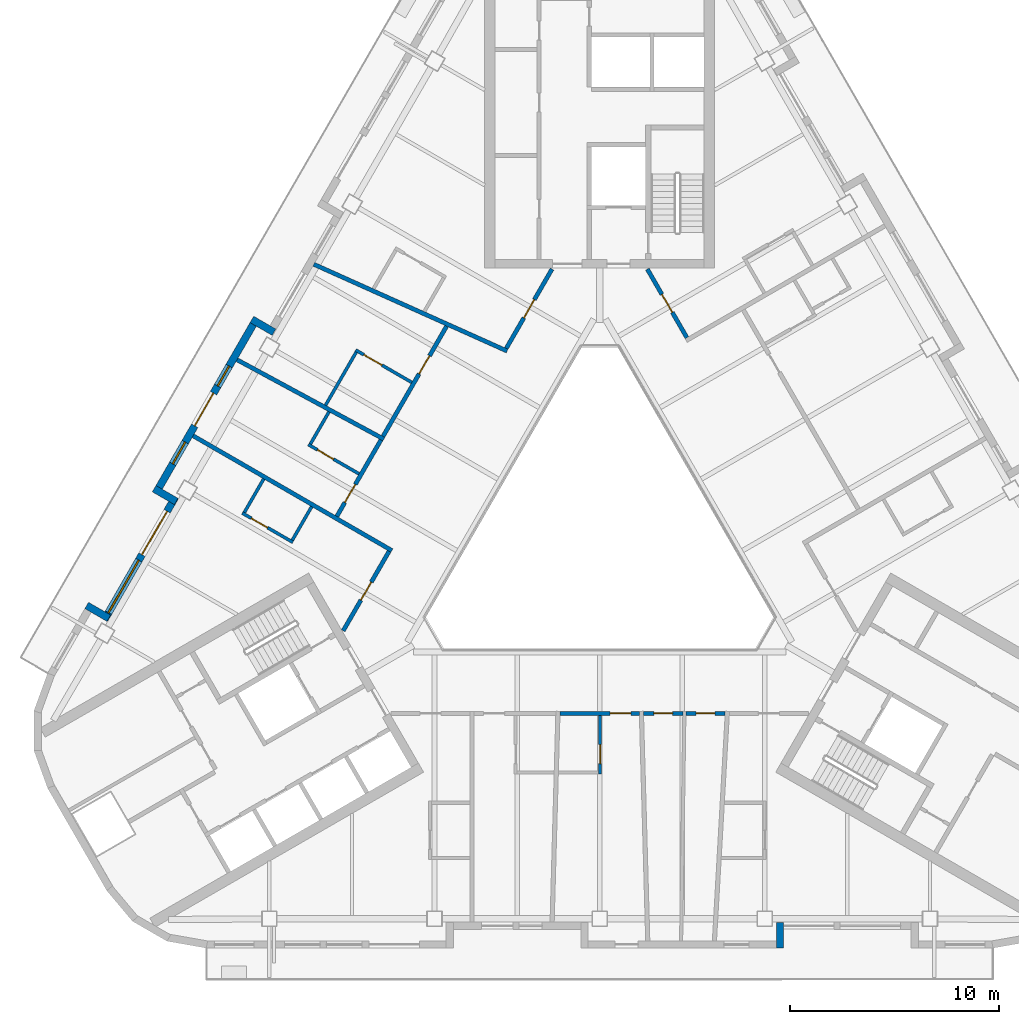
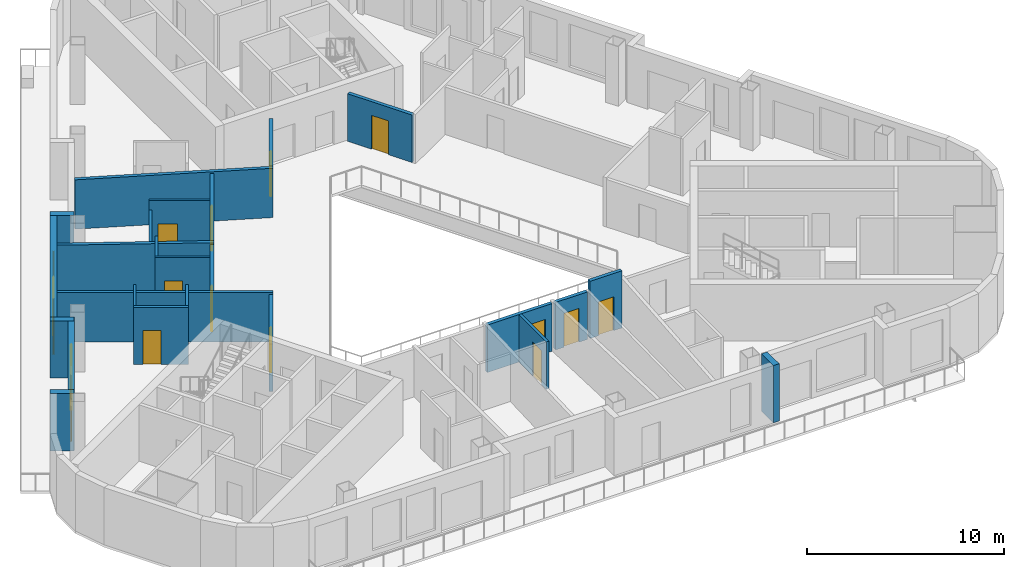
# One storey, part 4 of 14: 25 walls, 14 doors, 3 windows, 17 openings.
"""IFC4 building model written with IfcOpenShell, lengths in metres."""

from ifc_helpers import new_model, si_unit, direction, frame, frame_2d, origin, place, context, subcontext, project, spatial, rectangle, extrude, material, layer, layer_set, type_object, element, fill, save


model = new_model("IFC4")

# Units and contexts
model_context = context("Model", 3, precision=1e-05, world=origin(), true_north=direction((0.0, 1.0)))
body_context = subcontext(model_context, "Body", "Model", "MODEL_VIEW")
ifc_project = project(units=[si_unit("LENGTHUNIT", "METRE"), si_unit("AREAUNIT", "SQUARE_METRE"), si_unit("VOLUMEUNIT", "CUBIC_METRE"), si_unit("PLANEANGLEUNIT", "RADIAN"), si_unit("MASSUNIT", "GRAM", prefix="KILO")], contexts=[model_context])

# Site, building, storey
site_placement = place(None, origin())
site = spatial("IfcSite", under=ifc_project, at=site_placement, CompositionType="ELEMENT")
building_placement = place(site_placement, origin())
building = spatial("IfcBuilding", under=site, at=building_placement, Name="Apuvela Tower Hotel", CompositionType="ELEMENT")
storey_placement = place(building_placement, frame((0.0, 0.0, 216.89990234375)))
storey = spatial("IfcBuildingStorey", under=building, at=storey_placement, Name="L53", CompositionType="ELEMENT", Elevation=216.89990234375)

# Wall
ifc_material_1 = material(Name="Concrete C40/50, dark pigmented precast panel", Category="concrete")
ifc_layer_1 = layer(ifc_material_1, 0.35009765625)
ifc_layer_set_1 = layer_set([ifc_layer_1], Name="ENV-WALL-350")
wall_type_1 = type_object("IfcWallType", Name="ENV-WALL-350", PredefinedType="SOLIDWALL", material=ifc_layer_set_1)
wall_1_placement = place(storey_placement, frame((-15.580810546875, 9.8330078125, 0.0), z_axis=(0.0, 0.0, 1.0), x_axis=(-0.866055662726, 0.499947586314, 0.0)))
element("IfcWall", 1, at=wall_1_placement, inside=storey, type_object=wall_type_1, Name="External wall L53-04", PredefinedType="SOLIDWALL", context=body_context, shape_type="SweptSolid", body=[
    extrude(rectangle(XDim=1.220458984375, YDim=0.35009765625, at=frame_2d((0.6103515625, 0.0))), origin(), (0.0, 0.0, 1.0), 3.550048828125),
])

# Wall, openings, door, windows
wall_2_placement = place(storey_placement, frame((-16.3984375, 10.507080078125, 0.0), z_axis=(0.0, 0.0, 1.0), x_axis=(-0.499999142773, -0.866025898704, 0.0)))
wall_2 = element("IfcWall", 2, at=wall_2_placement, inside=storey, type_object=wall_type_1, Name="External wall L53-05", PredefinedType="SOLIDWALL", context=body_context, shape_type="SweptSolid", body=[
    extrude(rectangle(XDim=9.7001953125, YDim=0.35009765625, at=frame_2d((4.85009765625, 0.0))), origin(), (0.0, 0.0, 1.0), 3.550048828125),
])
opening_1_placement = place(wall_2_placement, frame((4.1494140625, 0.0, 0.0)))
opening_1 = element("IfcOpeningElement", 3, at=opening_1_placement, cuts=wall_2, Name="Opening BD18", PredefinedType="OPENING", context=body_context, shape_type="SweptSolid", body=[
    extrude(rectangle(XDim=1.800048828125, YDim=2.39990234375, at=frame_2d((0.89990234375, 1.199951171875))), frame((0.0, 0.18505859375, 0.0), z_axis=(0.0, -1.0, 0.0), x_axis=(1.0, 0.0, 0.0)), (0.0, 0.0, 1.0), 0.3701171875),
])
opening_2_placement = place(wall_2_placement, frame((2.650390625, 0.0, 0.300048828125)))
opening_2 = element("IfcOpeningElement", 4, at=opening_2_placement, cuts=wall_2, Name="Opening WN11", PredefinedType="OPENING", context=body_context, shape_type="SweptSolid", body=[
    extrude(rectangle(XDim=1.10009765625, YDim=2.64990234375, at=frame_2d((0.550048828125, 1.324951171875))), frame((0.0, 0.18505859375, 0.0), z_axis=(0.0, -1.0, 0.0), x_axis=(1.0, 0.0, 0.0)), (0.0, 0.0, 1.0), 0.3701171875),
])
opening_3_placement = place(wall_2_placement, frame((6.850341796875, 0.0, 0.300048828125)))
opening_3 = element("IfcOpeningElement", 5, at=opening_3_placement, cuts=wall_2, Name="Opening WN12", PredefinedType="OPENING", context=body_context, shape_type="SweptSolid", body=[
    extrude(rectangle(XDim=1.199951171875, YDim=2.64990234375, at=frame_2d((0.60009765625, 1.324951171875))), frame((0.0, 0.18505859375, 0.0), z_axis=(0.0, -1.0, 0.0), x_axis=(1.0, 0.0, 0.0)), (0.0, 0.0, 1.0), 0.3701171875),
])
ifc_material_2 = material(Name="Aluminium 6063-T6, dark bronze anodised frame with dark tinted laminated glass", Category="aluminium")
door_type_1 = type_object("IfcDoorType", Name="ENV-DOOR-BALCONY-1800x2400", OperationType="SLIDING_TO_LEFT", PredefinedType="DOOR", material=ifc_material_2)
door_1_placement = place(opening_1_placement, frame((1.800048828125, 0.0, 0.0), z_axis=(0.0, 0.0, 1.0), x_axis=(-1.0, 0.0, 0.0)))
door_1 = element("IfcDoor", 6, at=door_1_placement, inside=storey, type_object=door_type_1, Name="Balcony door BD18", OperationType="SLIDING_TO_LEFT", OverallHeight=2.39990234375, OverallWidth=1.800048828125, PredefinedType="DOOR", context=body_context, shape_type="SweptSolid", body=[
    extrude(rectangle(XDim=1.800048828125, YDim=2.39990234375, at=frame_2d((0.89990234375, 1.199951171875))), frame((0.0, 0.02490234375, 0.0), z_axis=(0.0, -1.0, 0.0), x_axis=(1.0, 0.0, 0.0)), (0.0, 0.0, 1.0), 0.050048828125),
])
fill(opening_1, door_1)
ifc_material_3 = material(Name="Glass, dark tinted laminated insulated glazing unit", Category="glass")
window_type_1 = type_object("IfcWindowType", Name="ENV-WIN-1100x2650", PartitioningType="SINGLE_PANEL", PredefinedType="WINDOW", material=ifc_material_3)
window_1_placement = place(opening_2_placement, origin())
window_1 = element("IfcWindow", 7, at=window_1_placement, inside=storey, type_object=window_type_1, Name="Window WN11", OverallHeight=2.64990234375, OverallWidth=1.10009765625, PartitioningType="SINGLE_PANEL", PredefinedType="WINDOW", context=body_context, shape_type="SweptSolid", body=[
    extrude(rectangle(XDim=1.10009765625, YDim=2.64990234375, at=frame_2d((0.550048828125, 1.324951171875))), frame((0.0, 0.030029296875, 0.0), z_axis=(0.0, -1.0, 0.0), x_axis=(1.0, 0.0, 0.0)), (0.0, 0.0, 1.0), 0.06005859375),
])
fill(opening_2, window_1)
window_type_2 = type_object("IfcWindowType", Name="ENV-WIN-1200x2650", PartitioningType="SINGLE_PANEL", PredefinedType="WINDOW", material=ifc_material_3)
window_2_placement = place(opening_3_placement, origin())
window_2 = element("IfcWindow", 8, at=window_2_placement, inside=storey, type_object=window_type_2, Name="Window WN12", OverallHeight=2.64990234375, OverallWidth=1.199951171875, PartitioningType="SINGLE_PANEL", PredefinedType="WINDOW", context=body_context, shape_type="SweptSolid", body=[
    extrude(rectangle(XDim=1.199951171875, YDim=2.64990234375, at=frame_2d((0.60009765625, 1.324951171875))), frame((0.0, 0.030029296875, 0.0), z_axis=(0.0, -1.0, 0.0), x_axis=(1.0, 0.0, 0.0)), (0.0, 0.0, 1.0), 0.06005859375),
])
fill(opening_3, window_2)

# Wall
wall_3_placement = place(storey_placement, frame((-21.3125, 2.345703125, 0.0), z_axis=(0.0, 0.0, 1.0), x_axis=(0.866005645448, -0.500034220881, 0.0)))
element("IfcWall", 9, at=wall_3_placement, inside=storey, type_object=wall_type_1, Name="External wall L53-06", PredefinedType="SOLIDWALL", context=body_context, shape_type="SweptSolid", body=[
    extrude(rectangle(XDim=1.22021484375, YDim=0.35009765625, at=frame_2d((0.610107421875, 0.0))), origin(), (0.0, 0.0, 1.0), 3.550048828125),
])

# Wall, openings, door, window
wall_4_placement = place(storey_placement, frame((-20.30908203125, 1.93359375, 0.0), z_axis=(0.0, 0.0, 1.0), x_axis=(-0.499992114976, -0.866029956157, 0.0)))
wall_4 = element("IfcWall", 10, at=wall_4_placement, inside=storey, type_object=wall_type_1, Name="External wall L53-07", PredefinedType="SOLIDWALL", context=body_context, shape_type="SweptSolid", body=[
    extrude(rectangle(XDim=6.73974609375, YDim=0.35009765625, at=frame_2d((3.369873046875, 0.0))), origin(), (0.0, 0.0, 1.0), 3.550048828125),
])
opening_4_placement = place(wall_4_placement, frame((0.77001953125, 0.0, 0.0)))
opening_4 = element("IfcOpeningElement", 11, at=opening_4_placement, cuts=wall_4, Name="Opening BD24", PredefinedType="OPENING", context=body_context, shape_type="SweptSolid", body=[
    extrude(rectangle(XDim=2.39990234375, YDim=2.39990234375, at=frame_2d((1.199951171875, 1.199951171875))), frame((0.0, 0.18505859375, 0.0), z_axis=(0.0, -1.0, 0.0), x_axis=(1.0, 0.0, 0.0)), (0.0, 0.0, 1.0), 0.3701171875),
])
opening_5_placement = place(wall_4_placement, frame((3.47021484375, 0.0, 0.300048828125)))
opening_5 = element("IfcOpeningElement", 12, at=opening_5_placement, cuts=wall_4, Name="Opening WN29", PredefinedType="OPENING", context=body_context, shape_type="SweptSolid", body=[
    extrude(rectangle(XDim=2.89990234375, YDim=2.64990234375, at=frame_2d((1.449951171875, 1.324951171875))), frame((0.0, 0.18505859375, 0.0), z_axis=(0.0, -1.0, 0.0), x_axis=(1.0, 0.0, 0.0)), (0.0, 0.0, 1.0), 0.3701171875),
])
door_type_2 = type_object("IfcDoorType", Name="ENV-DOOR-BALCONY-2400x2400", OperationType="SLIDING_TO_LEFT", PredefinedType="DOOR", material=ifc_material_2)
door_2_placement = place(opening_4_placement, frame((2.39990234375, 0.0, 0.0), z_axis=(0.0, 0.0, 1.0), x_axis=(-1.0, 0.0, 0.0)))
door_2 = element("IfcDoor", 13, at=door_2_placement, inside=storey, type_object=door_type_2, Name="Balcony door BD24", OperationType="SLIDING_TO_LEFT", OverallHeight=2.39990234375, OverallWidth=2.39990234375, PredefinedType="DOOR", context=body_context, shape_type="SweptSolid", body=[
    extrude(rectangle(XDim=2.39990234375, YDim=2.39990234375, at=frame_2d((1.199951171875, 1.199951171875))), frame((0.0, 0.02490234375, 0.0), z_axis=(0.0, -1.0, 0.0), x_axis=(1.0, 0.0, 0.0)), (0.0, 0.0, 1.0), 0.050048828125),
])
fill(opening_4, door_2)
window_type_3 = type_object("IfcWindowType", Name="ENV-WIN-2900x2650", PartitioningType="SINGLE_PANEL", PredefinedType="WINDOW", material=ifc_material_3)
window_3_placement = place(opening_5_placement, origin())
window_3 = element("IfcWindow", 14, at=window_3_placement, inside=storey, type_object=window_type_3, Name="Window WN29", OverallHeight=2.64990234375, OverallWidth=2.89990234375, PartitioningType="SINGLE_PANEL", PredefinedType="WINDOW", context=body_context, shape_type="SweptSolid", body=[
    extrude(rectangle(XDim=2.89990234375, YDim=2.64990234375, at=frame_2d((1.449951171875, 1.324951171875))), frame((0.0, 0.030029296875, 0.0), z_axis=(0.0, -1.0, 0.0), x_axis=(1.0, 0.0, 0.0)), (0.0, 0.0, 1.0), 0.06005859375),
])
fill(opening_5, window_3)

# Walls
for number, where, z_axis, x_axis, name in (
    (15, (-23.48095703125, -3.85009765625, 0.0), (0.0, 0.0, 1.0), (-0.866092288191, 0.499884134912, 0.0), "External wall L53-08"),
    (16, (8.625, -19.6298828125, 0.0), (0.0, 0.0, 1.0), (0.0, 1.0, 0.0), "External wall L53-22"),
):
    element("IfcWall", number, at=place(storey_placement, frame(where, z_axis=z_axis, x_axis=x_axis)), inside=storey, type_object=wall_type_1, Name=name, PredefinedType="SOLIDWALL", context=body_context, shape_type="SweptSolid", body=[
        extrude(rectangle(XDim=1.219970703125, YDim=0.35009765625, at=frame_2d((0.60986328125, 0.0))), origin(), (0.0, 0.0, 1.0), 3.550048828125),
    ])
ifc_material_4 = material(Name="Gypsum board partition on twin steel stud", Category="steel")
ifc_layer_2 = layer(ifc_material_4, 0.199951171875)
ifc_layer_set_2 = layer_set([ifc_layer_2], Name="GST-PW1")
wall_type_2 = type_object("IfcWallType", Name="GST-PW1", PredefinedType="PARTITIONING", material=ifc_layer_set_2)
wall_5_placement = place(storey_placement, frame((-13.671630859375, 13.080078125, 0.0), z_axis=(0.0, 0.0, 1.0), x_axis=(0.912311972773, -0.409495866077, 0.0)))
element("IfcWall", 17, at=wall_5_placement, inside=storey, type_object=wall_type_2, Name="L53 partition 07", PredefinedType="PARTITIONING", context=body_context, shape_type="SweptSolid", body=[
    extrude(rectangle(XDim=10.13232421875, YDim=0.199951171875, at=frame_2d((5.066162109375, 0.0))), origin(), (0.0, 0.0, 1.0), 3.06005859375),
])
wall_6_placement = place(storey_placement, frame((-17.346923828125, 8.51416015625, 0.0), z_axis=(0.0, 0.0, 1.0), x_axis=(0.879604495132, -0.475705720109, 0.0)))
element("IfcWall", 18, at=wall_6_placement, inside=storey, type_object=wall_type_2, Name="L53 partition 08", PredefinedType="PARTITIONING", context=body_context, shape_type="SweptSolid", body=[
    extrude(rectangle(XDim=7.983154296875, YDim=0.199951171875, at=frame_2d((3.99169921875, 0.0))), origin(), (0.0, 0.0, 1.0), 3.06005859375),
])
wall_7_placement = place(storey_placement, frame((-19.447021484375, 4.876953125, 0.0), z_axis=(0.0, 0.0, 1.0), x_axis=(0.866027479907, -0.499996404033, 0.0)))
element("IfcWall", 19, at=wall_7_placement, inside=storey, type_object=wall_type_2, Name="L53 partition 09", PredefinedType="PARTITIONING", context=body_context, shape_type="SweptSolid", body=[
    extrude(rectangle(XDim=10.97998046875, YDim=0.199951171875, at=frame_2d((5.489990234375, 0.0))), origin(), (0.0, 0.0, 1.0), 3.06005859375),
])

# Wall, opening, door
ifc_material_5 = material(Name="Gypsum board corridor wall on twin steel stud, acoustic", Category="steel")
ifc_layer_3 = layer(ifc_material_5, 0.199951171875)
ifc_layer_set_3 = layer_set([ifc_layer_3], Name="GST-PW2")
wall_type_3 = type_object("IfcWallType", Name="GST-PW2", PredefinedType="PARTITIONING", material=ifc_layer_set_3)
wall_8_placement = place(storey_placement, frame((1.897216796875, -8.39990234375, 0.0), z_axis=(0.0, 0.0, 1.0), x_axis=(-1.0, 0.0, 0.0)))
wall_8 = element("IfcWall", 20, at=wall_8_placement, inside=storey, type_object=wall_type_3, Name="L53 partition 17", PredefinedType="PARTITIONING", context=body_context, shape_type="SweptSolid", body=[
    extrude(rectangle(XDim=3.79443359375, YDim=0.199951171875, at=frame_2d((1.897216796875, 0.0))), origin(), (0.0, 0.0, 1.0), 2.9501953125),
])
opening_6_placement = place(wall_8_placement, frame((0.4013671875, 0.0, 0.0)))
opening_6 = element("IfcOpeningElement", 21, at=opening_6_placement, cuts=wall_8, Name="Opening GD21-06", PredefinedType="OPENING", context=body_context, shape_type="SweptSolid", body=[
    extrude(rectangle(XDim=1.0, YDim=2.10009765625, at=frame_2d((0.5, 1.050048828125))), frame((0.0, 0.10986328125, 0.0), z_axis=(0.0, -1.0, 0.0), x_axis=(1.0, 0.0, 0.0)), (0.0, 0.0, 1.0), 0.219970703125),
])
ifc_material_6 = material(Name="Timber door leaf in steel frame", Category="steel")
door_type_3 = type_object("IfcDoorType", Name="GST-D1", OperationType="NOTDEFINED", PredefinedType="DOOR", material=ifc_material_6)
door_3_placement = place(opening_6_placement, origin())
door_3 = element("IfcDoor", 22, at=door_3_placement, inside=storey, type_object=door_type_3, Name="Door L53-06", OperationType="SINGLE_SWING_LEFT", OverallHeight=2.10009765625, OverallWidth=1.0, PredefinedType="DOOR", context=body_context, shape_type="SweptSolid", body=[
    extrude(rectangle(XDim=1.0, YDim=2.10009765625, at=frame_2d((0.5, 1.050048828125))), frame((0.0, 0.02490234375, 0.0), z_axis=(0.0, -1.0, 0.0), x_axis=(1.0, 0.0, 0.0)), (0.0, 0.0, 1.0), 0.050048828125),
])
fill(opening_6, door_3)

wall_9_placement = place(storey_placement, frame((3.976318359375, -8.39990234375, 0.0), z_axis=(0.0, 0.0, 1.0), x_axis=(-1.0, 0.0, 0.0)))
wall_9 = element("IfcWall", 23, at=wall_9_placement, inside=storey, type_object=wall_type_3, Name="L53 partition 21", PredefinedType="PARTITIONING", context=body_context, shape_type="SweptSolid", body=[
    extrude(rectangle(XDim=1.87890625, YDim=0.199951171875, at=frame_2d((0.939453125, 0.0))), origin(), (0.0, 0.0, 1.0), 2.9501953125),
])
opening_7_placement = place(wall_9_placement, frame((0.489501953125, 0.0, 0.0)))
opening_7 = element("IfcOpeningElement", 24, at=opening_7_placement, cuts=wall_9, Name="Opening GD21-07", PredefinedType="OPENING", context=body_context, shape_type="SweptSolid", body=[
    extrude(rectangle(XDim=0.89990234375, YDim=2.10009765625, at=frame_2d((0.449951171875, 1.050048828125))), frame((0.0, 0.10986328125, 0.0), z_axis=(0.0, -1.0, 0.0), x_axis=(1.0, 0.0, 0.0)), (0.0, 0.0, 1.0), 0.219970703125),
])
door_type_4 = type_object("IfcDoorType", Name="GST-D2", OperationType="NOTDEFINED", PredefinedType="DOOR", material=ifc_material_6)
door_4_placement = place(opening_7_placement, origin())
door_4 = element("IfcDoor", 25, at=door_4_placement, inside=storey, type_object=door_type_4, Name="Door L53-07", OperationType="SINGLE_SWING_LEFT", OverallHeight=2.10009765625, OverallWidth=0.89990234375, PredefinedType="DOOR", context=body_context, shape_type="SweptSolid", body=[
    extrude(rectangle(XDim=0.89990234375, YDim=2.10009765625, at=frame_2d((0.449951171875, 1.050048828125))), frame((0.0, 0.02490234375, 0.0), z_axis=(0.0, -1.0, 0.0), x_axis=(1.0, 0.0, 0.0)), (0.0, 0.0, 1.0), 0.050048828125),
])
fill(opening_7, door_4)

wall_10_placement = place(storey_placement, frame((6.005615234375, -8.39990234375, 0.0), z_axis=(0.0, 0.0, 1.0), x_axis=(-1.0, 0.0, 0.0)))
wall_10 = element("IfcWall", 26, at=wall_10_placement, inside=storey, type_object=wall_type_3, Name="L53 partition 22", PredefinedType="PARTITIONING", context=body_context, shape_type="SweptSolid", body=[
    extrude(rectangle(XDim=1.879150390625, YDim=0.199951171875, at=frame_2d((0.939453125, 0.0))), origin(), (0.0, 0.0, 1.0), 3.550048828125),
])
opening_8_placement = place(wall_10_placement, frame((0.489501953125, 0.0, 0.0)))
opening_8 = element("IfcOpeningElement", 27, at=opening_8_placement, cuts=wall_10, Name="Opening GD21-08", PredefinedType="OPENING", context=body_context, shape_type="SweptSolid", body=[
    extrude(rectangle(XDim=0.89990234375, YDim=2.10009765625, at=frame_2d((0.449951171875, 1.050048828125))), frame((0.0, 0.10986328125, 0.0), z_axis=(0.0, -1.0, 0.0), x_axis=(1.0, 0.0, 0.0)), (0.0, 0.0, 1.0), 0.219970703125),
])
door_5_placement = place(opening_8_placement, origin())
door_5 = element("IfcDoor", 28, at=door_5_placement, inside=storey, type_object=door_type_4, Name="Door L53-08", OperationType="SINGLE_SWING_RIGHT", OverallHeight=2.10009765625, OverallWidth=0.89990234375, PredefinedType="DOOR", context=body_context, shape_type="SweptSolid", body=[
    extrude(rectangle(XDim=0.89990234375, YDim=2.10009765625, at=frame_2d((0.449951171875, 1.050048828125))), frame((0.0, 0.02490234375, 0.0), z_axis=(0.0, -1.0, 0.0), x_axis=(1.0, 0.0, 0.0)), (0.0, 0.0, 1.0), 0.050048828125),
])
fill(opening_8, door_5)

wall_11_placement = place(storey_placement, frame((2.280517578125, 12.85009765625, 0.0), z_axis=(0.0, 0.0, 1.0), x_axis=(0.499979074716, -0.866037484666, 0.0)))
wall_11 = element("IfcWall", 29, at=wall_11_placement, inside=storey, type_object=wall_type_3, Name="L53 partition 36", PredefinedType="PARTITIONING", context=body_context, shape_type="SweptSolid", body=[
    extrude(rectangle(XDim=3.788330078125, YDim=0.199951171875, at=frame_2d((1.89404296875, 0.0))), origin(), (0.0, 0.0, 1.0), 2.9501953125),
])
opening_9_placement = place(wall_11_placement, frame((1.39404296875, 0.0, 0.0)))
opening_9 = element("IfcOpeningElement", 30, at=opening_9_placement, cuts=wall_11, Name="Opening GD21-17", PredefinedType="OPENING", context=body_context, shape_type="SweptSolid", body=[
    extrude(rectangle(XDim=1.0, YDim=2.10009765625, at=frame_2d((0.5, 1.050048828125))), frame((0.0, 0.10986328125, 0.0), z_axis=(0.0, -1.0, 0.0), x_axis=(1.0, 0.0, 0.0)), (0.0, 0.0, 1.0), 0.219970703125),
])
door_6_placement = place(opening_9_placement, origin())
door_6 = element("IfcDoor", 31, at=door_6_placement, inside=storey, type_object=door_type_3, Name="Door L53-17", OperationType="SINGLE_SWING_RIGHT", OverallHeight=2.10009765625, OverallWidth=1.0, PredefinedType="DOOR", context=body_context, shape_type="SweptSolid", body=[
    extrude(rectangle(XDim=1.0, YDim=2.10009765625, at=frame_2d((0.5, 1.050048828125))), frame((0.0, 0.02490234375, 0.0), z_axis=(0.0, -1.0, 0.0), x_axis=(1.0, 0.0, 0.0)), (0.0, 0.0, 1.0), 0.050048828125),
])
fill(opening_9, door_6)

wall_12_placement = place(storey_placement, frame((-4.46923828125, 9.05908203125, 0.0), z_axis=(0.0, 0.0, 1.0), x_axis=(0.499996027077, 0.86602769754, 0.0)))
wall_12 = element("IfcWall", 32, at=wall_12_placement, inside=storey, type_object=wall_type_3, Name="L53 partition 40", PredefinedType="PARTITIONING", context=body_context, shape_type="SweptSolid", body=[
    extrude(rectangle(XDim=4.37744140625, YDim=0.199951171875, at=frame_2d((2.188720703125, 0.0))), origin(), (0.0, 0.0, 1.0), 2.9501953125),
])
opening_10_placement = place(wall_12_placement, frame((1.688720703125, 0.0, 0.0)))
opening_10 = element("IfcOpeningElement", 33, at=opening_10_placement, cuts=wall_12, Name="Opening GD21-19", PredefinedType="OPENING", context=body_context, shape_type="SweptSolid", body=[
    extrude(rectangle(XDim=1.0, YDim=2.10009765625, at=frame_2d((0.5, 1.050048828125))), frame((0.0, 0.10986328125, 0.0), z_axis=(0.0, -1.0, 0.0), x_axis=(1.0, 0.0, 0.0)), (0.0, 0.0, 1.0), 0.219970703125),
])
door_7_placement = place(opening_10_placement, origin())
door_7 = element("IfcDoor", 34, at=door_7_placement, inside=storey, type_object=door_type_3, Name="Door L53-19", OperationType="SINGLE_SWING_LEFT", OverallHeight=2.10009765625, OverallWidth=1.0, PredefinedType="DOOR", context=body_context, shape_type="SweptSolid", body=[
    extrude(rectangle(XDim=1.0, YDim=2.10009765625, at=frame_2d((0.5, 1.050048828125))), frame((0.0, 0.02490234375, 0.0), z_axis=(0.0, -1.0, 0.0), x_axis=(1.0, 0.0, 0.0)), (0.0, 0.0, 1.0), 0.050048828125),
])
fill(opening_10, door_7)

wall_13_placement = place(storey_placement, frame((-10.363037109375, 4.8505859375, 0.0), z_axis=(0.0, 0.0, 1.0), x_axis=(0.50000147882, 0.866024549986, 0.0)))
wall_13 = element("IfcWall", 35, at=wall_13_placement, inside=storey, type_object=wall_type_3, Name="L53 partition 44", PredefinedType="PARTITIONING", context=body_context, shape_type="SweptSolid", body=[
    extrude(rectangle(XDim=6.08447265625, YDim=0.199951171875, at=frame_2d((3.042236328125, 0.0))), origin(), (0.0, 0.0, 1.0), 2.9501953125),
])
opening_11_placement = place(wall_13_placement, frame((3.447265625, 0.0, 0.0)))
opening_11 = element("IfcOpeningElement", 36, at=opening_11_placement, cuts=wall_13, Name="Opening GD21-21", PredefinedType="OPENING", context=body_context, shape_type="SweptSolid", body=[
    extrude(rectangle(XDim=1.0, YDim=2.10009765625, at=frame_2d((0.5, 1.050048828125))), frame((0.0, 0.10986328125, 0.0), z_axis=(0.0, -1.0, 0.0), x_axis=(1.0, 0.0, 0.0)), (0.0, 0.0, 1.0), 0.219970703125),
])
door_8_placement = place(opening_11_placement, origin())
door_8 = element("IfcDoor", 37, at=door_8_placement, inside=storey, type_object=door_type_3, Name="Door L53-21", OperationType="SINGLE_SWING_RIGHT", OverallHeight=2.10009765625, OverallWidth=1.0, PredefinedType="DOOR", context=body_context, shape_type="SweptSolid", body=[
    extrude(rectangle(XDim=1.0, YDim=2.10009765625, at=frame_2d((0.5, 1.050048828125))), frame((0.0, 0.02490234375, 0.0), z_axis=(0.0, -1.0, 0.0), x_axis=(1.0, 0.0, 0.0)), (0.0, 0.0, 1.0), 0.050048828125),
])
fill(opening_11, door_8)

wall_14_placement = place(storey_placement, frame((-12.57275390625, 1.0234375, 0.0), z_axis=(0.0, 0.0, 1.0), x_axis=(0.499991256393, 0.86603045185, 0.0)))
wall_14 = element("IfcWall", 38, at=wall_14_placement, inside=storey, type_object=wall_type_3, Name="L53 partition 47", PredefinedType="PARTITIONING", context=body_context, shape_type="SweptSolid", body=[
    extrude(rectangle(XDim=4.21923828125, YDim=0.199951171875, at=frame_2d((2.109619140625, 0.0))), origin(), (0.0, 0.0, 1.0), 2.9501953125),
])
opening_12_placement = place(wall_14_placement, frame((0.766357421875, 0.0, 0.0)))
opening_12 = element("IfcOpeningElement", 39, at=opening_12_placement, cuts=wall_14, Name="Opening GD21-23", PredefinedType="OPENING", context=body_context, shape_type="SweptSolid", body=[
    extrude(rectangle(XDim=1.0, YDim=2.10009765625, at=frame_2d((0.5, 1.050048828125))), frame((0.0, 0.10986328125, 0.0), z_axis=(0.0, -1.0, 0.0), x_axis=(1.0, 0.0, 0.0)), (0.0, 0.0, 1.0), 0.219970703125),
])
door_9_placement = place(opening_12_placement, origin())
door_9 = element("IfcDoor", 40, at=door_9_placement, inside=storey, type_object=door_type_3, Name="Door L53-23", OperationType="SINGLE_SWING_LEFT", OverallHeight=2.10009765625, OverallWidth=1.0, PredefinedType="DOOR", context=body_context, shape_type="SweptSolid", body=[
    extrude(rectangle(XDim=1.0, YDim=2.10009765625, at=frame_2d((0.5, 1.050048828125))), frame((0.0, 0.02490234375, 0.0), z_axis=(0.0, -1.0, 0.0), x_axis=(1.0, 0.0, 0.0)), (0.0, 0.0, 1.0), 0.050048828125),
])
fill(opening_12, door_9)

wall_15_placement = place(storey_placement, frame((-12.268798828125, -4.449951171875, 0.0), z_axis=(0.0, 0.0, 1.0), x_axis=(0.499998569178, 0.866026229868, 0.0)))
wall_15 = element("IfcWall", 41, at=wall_15_placement, inside=storey, type_object=wall_type_3, Name="L53 partition 50", PredefinedType="PARTITIONING", context=body_context, shape_type="SweptSolid", body=[
    extrude(rectangle(XDim=4.38818359375, YDim=0.199951171875, at=frame_2d((2.194091796875, 0.0))), origin(), (0.0, 0.0, 1.0), 2.9501953125),
])
opening_13_placement = place(wall_15_placement, frame((1.694091796875, 0.0, 0.0)))
opening_13 = element("IfcOpeningElement", 42, at=opening_13_placement, cuts=wall_15, Name="Opening GD21-25", PredefinedType="OPENING", context=body_context, shape_type="SweptSolid", body=[
    extrude(rectangle(XDim=1.0, YDim=2.10009765625, at=frame_2d((0.5, 1.050048828125))), frame((0.0, 0.10986328125, 0.0), z_axis=(0.0, -1.0, 0.0), x_axis=(1.0, 0.0, 0.0)), (0.0, 0.0, 1.0), 0.219970703125),
])
door_10_placement = place(opening_13_placement, origin())
door_10 = element("IfcDoor", 43, at=door_10_placement, inside=storey, type_object=door_type_3, Name="Door L53-25", OperationType="SINGLE_SWING_RIGHT", OverallHeight=2.10009765625, OverallWidth=1.0, PredefinedType="DOOR", context=body_context, shape_type="SweptSolid", body=[
    extrude(rectangle(XDim=1.0, YDim=2.10009765625, at=frame_2d((0.5, 1.050048828125))), frame((0.0, 0.02490234375, 0.0), z_axis=(0.0, -1.0, 0.0), x_axis=(1.0, 0.0, 0.0)), (0.0, 0.0, 1.0), 0.050048828125),
])
fill(opening_13, door_10)

ifc_material_7 = material(Name="Moisture-resistant gypsum board wet wall on steel stud", Category="steel")
ifc_layer_4 = layer(ifc_material_7, 0.14990234375)
ifc_layer_set_4 = layer_set([ifc_layer_4], Name="GST-PW3")
wall_type_4 = type_object("IfcWallType", Name="GST-PW3", PredefinedType="PARTITIONING", material=ifc_layer_set_4)
wall_16_placement = place(storey_placement, frame((0.019287109375, -11.300048828125, 0.0), z_axis=(0.0, 0.0, 1.0), x_axis=(0.0, 1.0, 0.0)))
wall_16 = element("IfcWall", 44, at=wall_16_placement, inside=storey, type_object=wall_type_4, Name="L53 partition 18", PredefinedType="PARTITIONING", context=body_context, shape_type="SweptSolid", body=[
    extrude(rectangle(XDim=2.800048828125, YDim=0.14990234375, at=frame_2d((1.39990234375, 0.0))), origin(), (0.0, 0.0, 1.0), 2.9501953125),
])
opening_14_placement = place(wall_16_placement, frame((0.5, 0.0, 0.0)))
opening_14 = element("IfcOpeningElement", 45, at=opening_14_placement, cuts=wall_16, Name="Opening GD21-05", PredefinedType="OPENING", context=body_context, shape_type="SweptSolid", body=[
    extrude(rectangle(XDim=0.89990234375, YDim=2.10009765625, at=frame_2d((0.449951171875, 1.050048828125))), frame((0.0, 0.0849609375, 0.0), z_axis=(0.0, -1.0, 0.0), x_axis=(1.0, 0.0, 0.0)), (0.0, 0.0, 1.0), 0.169921875),
])
door_11_placement = place(opening_14_placement, origin())
door_11 = element("IfcDoor", 46, at=door_11_placement, inside=storey, type_object=door_type_4, Name="Door L53-05", OperationType="SINGLE_SWING_LEFT", OverallHeight=2.10009765625, OverallWidth=0.89990234375, PredefinedType="DOOR", context=body_context, shape_type="SweptSolid", body=[
    extrude(rectangle(XDim=0.89990234375, YDim=2.10009765625, at=frame_2d((0.449951171875, 1.050048828125))), frame((0.0, 0.02490234375, 0.0), z_axis=(0.0, -1.0, 0.0), x_axis=(1.0, 0.0, 0.0)), (0.0, 0.0, 1.0), 0.050048828125),
])
fill(opening_14, door_11)

wall_17_placement = place(storey_placement, frame((-8.988525390625, 7.431396484375, 0.0), z_axis=(0.0, 0.0, 1.0), x_axis=(-0.86600983753, 0.500026960575, 0.0)))
wall_17 = element("IfcWall", 47, at=wall_17_placement, inside=storey, type_object=wall_type_4, Name="L53 partition 45", PredefinedType="PARTITIONING", context=body_context, shape_type="SweptSolid", body=[
    extrude(rectangle(XDim=3.099853515625, YDim=0.14990234375, at=frame_2d((1.5498046875, 0.0))), origin(), (0.0, 0.0, 1.0), 3.550048828125),
])
opening_15_placement = place(wall_17_placement, frame((1.64990234375, 0.0, 0.0)))
opening_15 = element("IfcOpeningElement", 48, at=opening_15_placement, cuts=wall_17, Name="Opening GD21-20", PredefinedType="OPENING", context=body_context, shape_type="SweptSolid", body=[
    extrude(rectangle(XDim=1.0, YDim=2.10009765625, at=frame_2d((0.5, 1.050048828125))), frame((0.0, 0.0849609375, 0.0), z_axis=(0.0, -1.0, 0.0), x_axis=(1.0, 0.0, 0.0)), (0.0, 0.0, 1.0), 0.169921875),
])
door_12_placement = place(opening_15_placement, origin())
door_12 = element("IfcDoor", 49, at=door_12_placement, inside=storey, type_object=door_type_3, Name="Door L53-20", OperationType="SINGLE_SWING_RIGHT", OverallHeight=2.10009765625, OverallWidth=1.0, PredefinedType="DOOR", context=body_context, shape_type="SweptSolid", body=[
    extrude(rectangle(XDim=1.0, YDim=2.10009765625, at=frame_2d((0.5, 1.050048828125))), frame((0.0, 0.02490234375, 0.0), z_axis=(0.0, -1.0, 0.0), x_axis=(1.0, 0.0, 0.0)), (0.0, 0.0, 1.0), 0.050048828125),
])
fill(opening_15, door_12)

# Wall
wall_18_placement = place(storey_placement, frame((-11.645751953125, 8.87890625, 0.0), z_axis=(0.0, 0.0, 1.0), x_axis=(-0.499996155683, -0.86602762329, 0.0)))
element("IfcWall", 50, at=wall_18_placement, inside=storey, type_object=wall_type_4, Name="L53 partition 46", PredefinedType="PARTITIONING", context=body_context, shape_type="SweptSolid", body=[
    extrude(rectangle(XDim=2.93408203125, YDim=0.14990234375, at=frame_2d((1.467041015625, 0.0))), origin(), (0.0, 0.0, 1.0), 2.9501953125),
])

# Wall, opening, door
wall_19_placement = place(storey_placement, frame((-13.9384765625, 4.4580078125, 0.0), z_axis=(0.0, 0.0, 1.0), x_axis=(0.865996816683, -0.500049511043, 0.0)))
wall_19 = element("IfcWall", 51, at=wall_19_placement, inside=storey, type_object=wall_type_4, Name="L53 partition 48", PredefinedType="PARTITIONING", context=body_context, shape_type="SweptSolid", body=[
    extrude(rectangle(XDim=2.800048828125, YDim=0.14990234375, at=frame_2d((1.39990234375, 0.0))), origin(), (0.0, 0.0, 1.0), 3.550048828125),
])
opening_16_placement = place(wall_19_placement, frame((0.5, 0.0, 0.0)))
opening_16 = element("IfcOpeningElement", 52, at=opening_16_placement, cuts=wall_19, Name="Opening GD21-22", PredefinedType="OPENING", context=body_context, shape_type="SweptSolid", body=[
    extrude(rectangle(XDim=0.89990234375, YDim=2.10009765625, at=frame_2d((0.449951171875, 1.050048828125))), frame((0.0, 0.0849609375, 0.0), z_axis=(0.0, -1.0, 0.0), x_axis=(1.0, 0.0, 0.0)), (0.0, 0.0, 1.0), 0.169921875),
])
door_13_placement = place(opening_16_placement, origin())
door_13 = element("IfcDoor", 53, at=door_13_placement, inside=storey, type_object=door_type_4, Name="Door L53-22", OperationType="SINGLE_SWING_LEFT", OverallHeight=2.10009765625, OverallWidth=0.89990234375, PredefinedType="DOOR", context=body_context, shape_type="SweptSolid", body=[
    extrude(rectangle(XDim=0.89990234375, YDim=2.10009765625, at=frame_2d((0.449951171875, 1.050048828125))), frame((0.0, 0.02490234375, 0.0), z_axis=(0.0, -1.0, 0.0), x_axis=(1.0, 0.0, 0.0)), (0.0, 0.0, 1.0), 0.050048828125),
])
fill(opening_16, door_13)

# Wall
wall_20_placement = place(storey_placement, frame((-12.948974609375, 6.02197265625, 0.0), z_axis=(0.0, 0.0, 1.0), x_axis=(-0.499913039621, -0.866075604562, 0.0)))
element("IfcWall", 54, at=wall_20_placement, inside=storey, type_object=wall_type_4, Name="L53 partition 49", PredefinedType="PARTITIONING", context=body_context, shape_type="SweptSolid", body=[
    extrude(rectangle(XDim=1.774169921875, YDim=0.14990234375, at=frame_2d((0.88720703125, 0.0))), origin(), (0.0, 0.0, 1.0), 3.550048828125),
])

# Wall, opening, door
wall_21_placement = place(storey_placement, frame((-17.099365234375, 1.18310546875, 0.0), z_axis=(0.0, 0.0, 1.0), x_axis=(0.866056369097, -0.49994636267, 0.0)))
wall_21 = element("IfcWall", 55, at=wall_21_placement, inside=storey, type_object=wall_type_4, Name="L53 partition 51", PredefinedType="PARTITIONING", context=body_context, shape_type="SweptSolid", body=[
    extrude(rectangle(XDim=2.800048828125, YDim=0.14990234375, at=frame_2d((1.39990234375, 0.0))), origin(), (0.0, 0.0, 1.0), 3.550048828125),
])
opening_17_placement = place(wall_21_placement, frame((0.5, 0.0, 0.0)))
opening_17 = element("IfcOpeningElement", 56, at=opening_17_placement, cuts=wall_21, Name="Opening GD21-24", PredefinedType="OPENING", context=body_context, shape_type="SweptSolid", body=[
    extrude(rectangle(XDim=0.89990234375, YDim=2.10009765625, at=frame_2d((0.449951171875, 1.050048828125))), frame((0.0, 0.0849609375, 0.0), z_axis=(0.0, -1.0, 0.0), x_axis=(1.0, 0.0, 0.0)), (0.0, 0.0, 1.0), 0.169921875),
])
door_14_placement = place(opening_17_placement, origin())
door_14 = element("IfcDoor", 57, at=door_14_placement, inside=storey, type_object=door_type_4, Name="Door L53-24", OperationType="SINGLE_SWING_LEFT", OverallHeight=2.10009765625, OverallWidth=0.89990234375, PredefinedType="DOOR", context=body_context, shape_type="SweptSolid", body=[
    extrude(rectangle(XDim=0.89990234375, YDim=2.10009765625, at=frame_2d((0.449951171875, 1.050048828125))), frame((0.0, 0.02490234375, 0.0), z_axis=(0.0, -1.0, 0.0), x_axis=(1.0, 0.0, 0.0)), (0.0, 0.0, 1.0), 0.050048828125),
])
fill(opening_17, door_14)

# Walls
wall_22_placement = place(storey_placement, frame((-16.07177734375, 2.812744140625, 0.0), z_axis=(0.0, 0.0, 1.0), x_axis=(-0.500042316284, -0.866000971088, 0.0)))
element("IfcWall", 58, at=wall_22_placement, inside=storey, type_object=wall_type_4, Name="L53 partition 52", PredefinedType="PARTITIONING", context=body_context, shape_type="SweptSolid", body=[
    extrude(rectangle(XDim=1.849853515625, YDim=0.14990234375, at=frame_2d((0.9248046875, 0.0))), origin(), (0.0, 0.0, 1.0), 3.550048828125),
])
wall_23_placement = place(storey_placement, frame((-13.77685546875, 1.48779296875, 0.0), z_axis=(0.0, 0.0, 1.0), x_axis=(-0.499985172903, -0.866033964044, 0.0)))
element("IfcWall", 59, at=wall_23_placement, inside=storey, type_object=wall_type_4, Name="L53 partition 53", PredefinedType="PARTITIONING", context=body_context, shape_type="SweptSolid", body=[
    extrude(rectangle(XDim=1.85009765625, YDim=0.14990234375, at=frame_2d((0.925048828125, 0.0))), origin(), (0.0, 0.0, 1.0), 3.550048828125),
])

save(model, "model.ifc")
